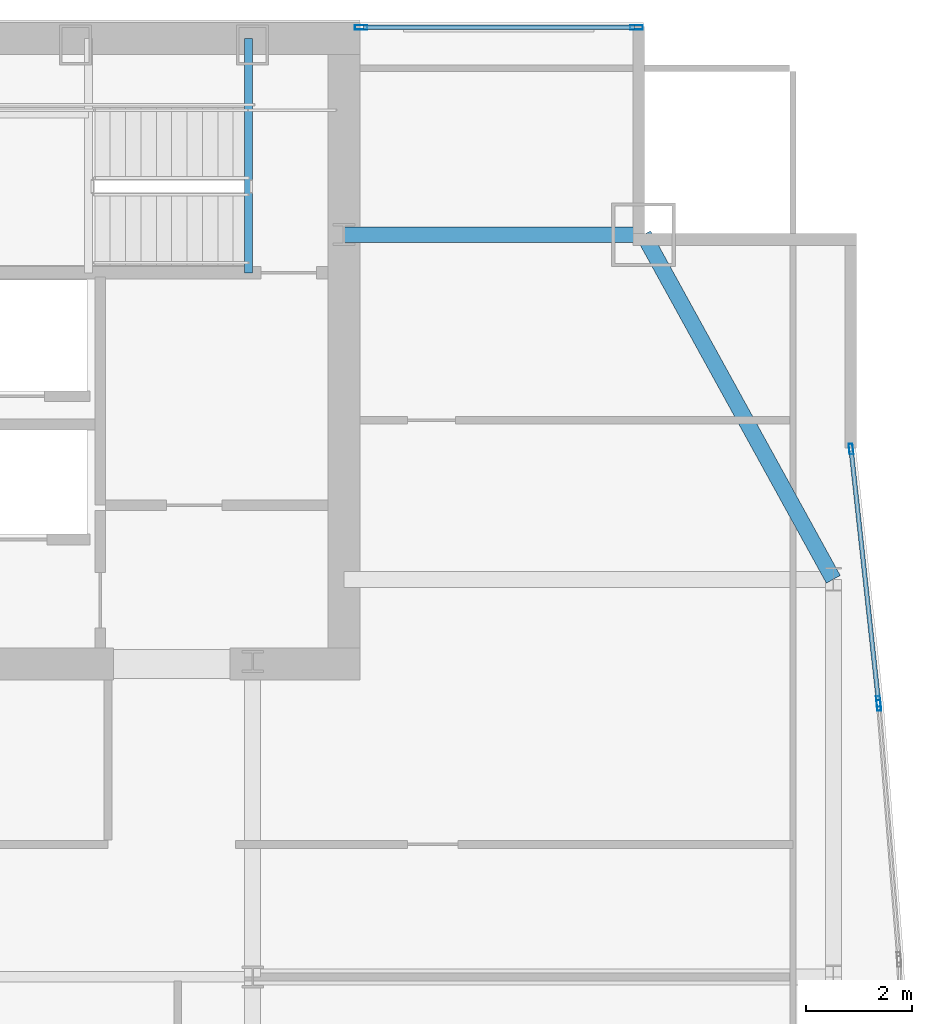
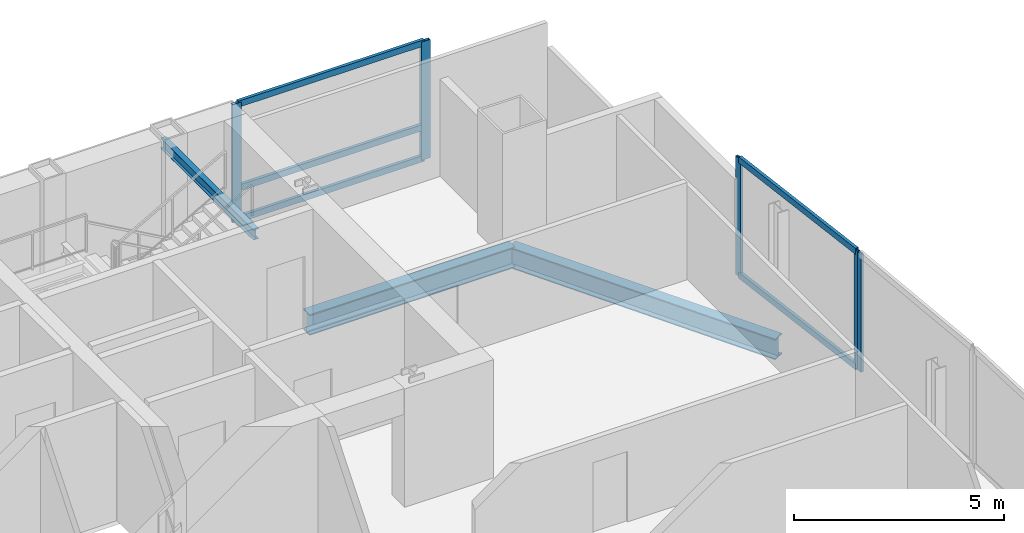
# One storey, part 25 of 32: 10 members, 3 beams, 3 elements without a shape of their own.
"""IFC4 building model written with IfcOpenShell, lengths in metres."""

from ifc_helpers import new_model, si_unit, direction, frame, origin, origin_2d, place, context, subcontext, project, spatial, hollow_rectangle, i_section, extrude, material, material_profile, profile_set, type_object, element, aggregate, save


model = new_model("IFC4")

# Units and contexts
model_context = context("Model", 3, precision=1e-05, world=origin(), true_north=direction((0.0, 1.0)))
body_context = subcontext(model_context, "Body", "Model", "MODEL_VIEW")
ifc_project = project(units=[si_unit("LENGTHUNIT", "METRE"), si_unit("AREAUNIT", "SQUARE_METRE"), si_unit("VOLUMEUNIT", "CUBIC_METRE"), si_unit("PLANEANGLEUNIT", "RADIAN"), si_unit("MASSUNIT", "GRAM", prefix="KILO")], contexts=[model_context])

# Site, building, storey
site_placement = place(None, origin())
site = spatial("IfcSite", under=ifc_project, at=site_placement, CompositionType="ELEMENT")
building_placement = place(site_placement, origin())
building = spatial("IfcBuilding", under=site, at=building_placement, Name="Khoronbel Lancet Exchange", CompositionType="ELEMENT")
storey_placement = place(building_placement, frame((0.0, 0.0, 192.199951171875)))
storey = spatial("IfcBuildingStorey", under=building, at=storey_placement, Name="L48", CompositionType="ELEMENT", Elevation=192.199951171875)

# Beams
ifc_material_1 = material(Name="Steel S355", Category="steel")
ifc_material_profile_1 = material_profile(ifc_material_1, i_section(OverallWidth=0.14990234375, OverallDepth=0.300048828125, WebThickness=0.007080078125, FlangeThickness=0.0107421875, at=origin_2d()), Name="IPE 300")
ifc_profile_set_1 = profile_set([ifc_material_profile_1], Name="Steel S355")
beam_type_1 = type_object("IfcBeamType", Name="BM-BJ8", PredefinedType="JOIST", material=ifc_profile_set_1)
beam_1_placement = place(storey_placement, frame((54.60009765625, 48.97998046875, 3.16015625), z_axis=(0.0, 1.0, 0.0), x_axis=(-1.0, 0.0, 0.0)))
element("IfcBeam", 1, at=beam_1_placement, inside=storey, type_object=beam_type_1, Name="Level L48 stair ST2 upper-flight arrival trimmer beam", PredefinedType="JOIST", context=body_context, shape_type="SweptSolid", body=[
    extrude(i_section(OverallWidth=0.14990234375, OverallDepth=0.300048828125, WebThickness=0.007080078125, FlangeThickness=0.0107421875, at=origin_2d()), origin(), (0.0, 0.0, 1.0), 4.419921875),
])
ifc_material_profile_2 = material_profile(ifc_material_1, i_section(OverallWidth=0.300048828125, OverallDepth=0.60009765625, WebThickness=0.015380859375, FlangeThickness=0.030029296875, at=origin_2d()), Name="HEB 600")
ifc_profile_set_2 = profile_set([ifc_material_profile_2], Name="Steel S355")
beam_type_2 = type_object("IfcBeamType", Name="BM-BSP2", PredefinedType="SPANDREL", material=ifc_profile_set_2)
beam_2_placement = place(storey_placement, frame((65.6298828125, 43.199951171875, -0.4599609375), z_axis=(-0.482418808117, 0.875940690672, 0.0), x_axis=(-0.875940690672, -0.482418808117, 0.0)))
element("IfcBeam", 2, at=beam_2_placement, inside=storey, type_object=beam_type_2, Name="Level L48 perimeter spandrel beam SP15", PredefinedType="SPANDREL", context=body_context, shape_type="SweptSolid", body=[
    extrude(i_section(OverallWidth=0.300048828125, OverallDepth=0.60009765625, WebThickness=0.015380859375, FlangeThickness=0.030029296875, at=origin_2d()), origin(), (0.0, 0.0, 1.0), 7.420654296875),
])
beam_3_placement = place(storey_placement, frame((62.050048828125, 49.699951171875, -0.4599609375), z_axis=(-1.0, 0.0, 0.0), x_axis=(0.0, -1.0, 0.0)))
element("IfcBeam", 3, at=beam_3_placement, inside=storey, type_object=beam_type_2, Name="Level L48 north flank tie spandrel SP23", PredefinedType="SPANDREL", context=body_context, shape_type="SweptSolid", body=[
    extrude(i_section(OverallWidth=0.300048828125, OverallDepth=0.60009765625, WebThickness=0.015380859375, FlangeThickness=0.030029296875, at=origin_2d()), origin(), (0.0, 0.0, 1.0), 5.650146484375),
])

# Curtain wall, members
ifc_material_2 = material(Name="Low-E Solar Control Insulating Glass", Category="glass")
curtain_wall_type_1 = type_object("IfcCurtainWallType", Name="CW-3", PredefinedType="NOTDEFINED", material=ifc_material_2)
curtain_wall_1_placement = place(storey_placement, origin())
curtain_wall_1 = element("IfcCurtainWall", 4, at=curtain_wall_1_placement, inside=storey, type_object=curtain_wall_type_1, Name="Unitised curtain wall CW-L48-NEFLK", PredefinedType="NOTDEFINED")
ifc_material_3 = material(Name="Bronze-Anodised Aluminium 6063-T6", Category="aluminium")
ifc_material_profile_3 = material_profile(ifc_material_3, hollow_rectangle(XDim=0.0849609375, YDim=0.239990234375, WallThickness=0.006103515625, at=origin_2d()), Name="ALU MULLION 85x240")
ifc_profile_set_3 = profile_set([ifc_material_profile_3], Name="Bronze-Anodised Aluminium 6063-T6")
member_type_1 = type_object("IfcMemberType", Name="MEM-CWM1", PredefinedType="MULLION", material=ifc_profile_set_3)
member_1_placement = place(storey_placement, frame((61.91748046875, 53.610107421875, 0.0), z_axis=(0.0, 0.0, 1.0), x_axis=(0.0, -1.0, 0.0)))
member_1 = element("IfcMember", 5, at=member_1_placement, type_object=member_type_1, Name="CW3 mullion 1", PredefinedType="MULLION", context=body_context, shape_type="SweptSolid", body=[
    extrude(hollow_rectangle(XDim=0.0849609375, YDim=0.239990234375, WallThickness=0.006103515625, at=origin_2d()), origin(), (0.0, 0.0, 1.0), 3.43994140625),
])
member_2_placement = place(storey_placement, frame((56.722412109375, 53.610107421875, 0.0), z_axis=(0.0, 0.0, 1.0), x_axis=(0.0, -1.0, 0.0)))
member_2 = element("IfcMember", 6, at=member_2_placement, type_object=member_type_1, Name="CW3 mullion 2", PredefinedType="MULLION", context=body_context, shape_type="SweptSolid", body=[
    extrude(hollow_rectangle(XDim=0.0849609375, YDim=0.239990234375, WallThickness=0.006103515625, at=origin_2d()), origin(), (0.0, 0.0, 1.0), 3.43994140625),
])

curtain_wall_type_2 = type_object("IfcCurtainWallType", Name="CW-4", PredefinedType="NOTDEFINED", material=ifc_material_2)
curtain_wall_2_placement = place(storey_placement, origin())
curtain_wall_2 = element("IfcCurtainWall", 7, at=curtain_wall_2_placement, inside=storey, type_object=curtain_wall_type_2, Name="Unitised curtain wall CW-L48-E17", PredefinedType="NOTDEFINED")
ifc_material_profile_4 = material_profile(ifc_material_3, hollow_rectangle(XDim=0.074951171875, YDim=0.199951171875, WallThickness=0.0048828125, at=origin_2d()), Name="ALU MULLION 75x200")
ifc_profile_set_4 = profile_set([ifc_material_profile_4], Name="Bronze-Anodised Aluminium 6063-T6")
member_type_2 = type_object("IfcMemberType", Name="MEM-CWM2", PredefinedType="MULLION", material=ifc_profile_set_4)
member_3_placement = place(storey_placement, frame((65.964111328125, 45.65771484375, 0.0), z_axis=(0.0, 0.0, 1.0), x_axis=(0.994151948799, 0.107990289834, 0.0)))
member_3 = element("IfcMember", 8, at=member_3_placement, type_object=member_type_2, Name="CW4 mullion 1", PredefinedType="MULLION", context=body_context, shape_type="SweptSolid", body=[
    extrude(hollow_rectangle(XDim=0.074951171875, YDim=0.199951171875, WallThickness=0.0048828125, at=origin_2d()), origin(), (0.0, 0.0, 1.0), 3.43994140625),
])
member_4_placement = place(storey_placement, frame((66.4814453125, 40.8955078125, 0.0), z_axis=(0.0, 0.0, 1.0), x_axis=(0.994151948799, 0.107990289834, 0.0)))
member_4 = element("IfcMember", 9, at=member_4_placement, type_object=member_type_2, Name="CW4 mullion 2", PredefinedType="MULLION", context=body_context, shape_type="SweptSolid", body=[
    extrude(hollow_rectangle(XDim=0.074951171875, YDim=0.199951171875, WallThickness=0.0048828125, at=origin_2d()), origin(), (0.0, 0.0, 1.0), 3.43994140625),
])

# Curtain wall, member
curtain_wall_3_placement = place(storey_placement, origin())
curtain_wall_3 = element("IfcCurtainWall", 10, at=curtain_wall_3_placement, inside=storey, type_object=curtain_wall_type_2, Name="Unitised curtain wall CW-L48-E18", PredefinedType="NOTDEFINED")
member_5_placement = place(storey_placement, frame((66.48828125, 40.82080078125, 0.0), z_axis=(0.0, 0.0, 1.0), x_axis=(0.996854401909, 0.079254661653, 0.0)))
member_5 = element("IfcMember", 11, at=member_5_placement, type_object=member_type_2, Name="CW4 mullion 1", PredefinedType="MULLION", context=body_context, shape_type="SweptSolid", body=[
    extrude(hollow_rectangle(XDim=0.074951171875, YDim=0.199951171875, WallThickness=0.0048828125, at=origin_2d()), origin(), (0.0, 0.0, 1.0), 3.43994140625),
])
aggregate(curtain_wall_3, [member_5])

# Member
ifc_material_profile_5 = material_profile(ifc_material_3, hollow_rectangle(XDim=0.0849609375, YDim=0.179931640625, WallThickness=0.0048828125, at=origin_2d()), Name="ALU TRANSOM 85x180")
ifc_profile_set_5 = profile_set([ifc_material_profile_5], Name="Bronze-Anodised Aluminium 6063-T6")
member_type_3 = type_object("IfcMemberType", Name="MEM-CWT1", PredefinedType="USERDEFINED", material=ifc_profile_set_5)
member_6_placement = place(storey_placement, frame((61.875, 53.610107421875, 0.04248046875), z_axis=(-1.0, 0.0, 0.0), x_axis=(0.0, -1.0, 0.0)))
member_6 = element("IfcMember", 12, at=member_6_placement, type_object=member_type_3, Name="CW3 transom 1.1", ObjectType="TRANSOM", PredefinedType="USERDEFINED", context=body_context, shape_type="SweptSolid", body=[
    extrude(hollow_rectangle(XDim=0.0849609375, YDim=0.179931640625, WallThickness=0.0048828125, at=origin_2d()), origin(), (0.0, 0.0, 1.0), 5.110107421875),
])

member_7_placement = place(storey_placement, frame((61.875, 53.610107421875, 0.949951171875), z_axis=(-1.0, 0.0, 0.0), x_axis=(0.0, -1.0, 0.0)))
member_7 = element("IfcMember", 13, at=member_7_placement, type_object=member_type_3, Name="CW3 transom 1.2", ObjectType="TRANSOM", PredefinedType="USERDEFINED", context=body_context, shape_type="SweptSolid", body=[
    extrude(hollow_rectangle(XDim=0.0849609375, YDim=0.179931640625, WallThickness=0.0048828125, at=origin_2d()), origin(), (0.0, 0.0, 1.0), 5.110107421875),
])

member_8_placement = place(storey_placement, frame((61.875, 53.610107421875, 3.3974609375), z_axis=(-1.0, 0.0, 0.0), x_axis=(0.0, -1.0, 0.0)))
member_8 = element("IfcMember", 14, at=member_8_placement, type_object=member_type_3, Name="CW3 transom 1.3", ObjectType="TRANSOM", PredefinedType="USERDEFINED", context=body_context, shape_type="SweptSolid", body=[
    extrude(hollow_rectangle(XDim=0.0849609375, YDim=0.179931640625, WallThickness=0.0048828125, at=origin_2d()), origin(), (0.0, 0.0, 1.0), 5.110107421875),
])

aggregate(curtain_wall_1, [member_1, member_2, member_6, member_7, member_8])

member_9_placement = place(storey_placement, frame((65.968017578125, 45.62060546875, 0.04248046875), z_axis=(0.108004671949, -0.994150386429, 0.0), x_axis=(0.994150386429, 0.108004671949, 0.0)))
member_9 = element("IfcMember", 15, at=member_9_placement, type_object=member_type_3, Name="CW4 transom 1.1", ObjectType="TRANSOM", PredefinedType="USERDEFINED", context=body_context, shape_type="SweptSolid", body=[
    extrude(hollow_rectangle(XDim=0.0849609375, YDim=0.179931640625, WallThickness=0.0048828125, at=origin_2d()), origin(), (0.0, 0.0, 1.0), 4.71533203125),
])

member_10_placement = place(storey_placement, frame((65.968017578125, 45.62060546875, 3.3974609375), z_axis=(0.108004671949, -0.994150386429, 0.0), x_axis=(0.994150386429, 0.108004671949, 0.0)))
member_10 = element("IfcMember", 16, at=member_10_placement, type_object=member_type_3, Name="CW4 transom 1.2", ObjectType="TRANSOM", PredefinedType="USERDEFINED", context=body_context, shape_type="SweptSolid", body=[
    extrude(hollow_rectangle(XDim=0.0849609375, YDim=0.179931640625, WallThickness=0.0048828125, at=origin_2d()), origin(), (0.0, 0.0, 1.0), 4.71533203125),
])

aggregate(curtain_wall_2, [member_3, member_4, member_9, member_10])

save(model, "model.ifc")
